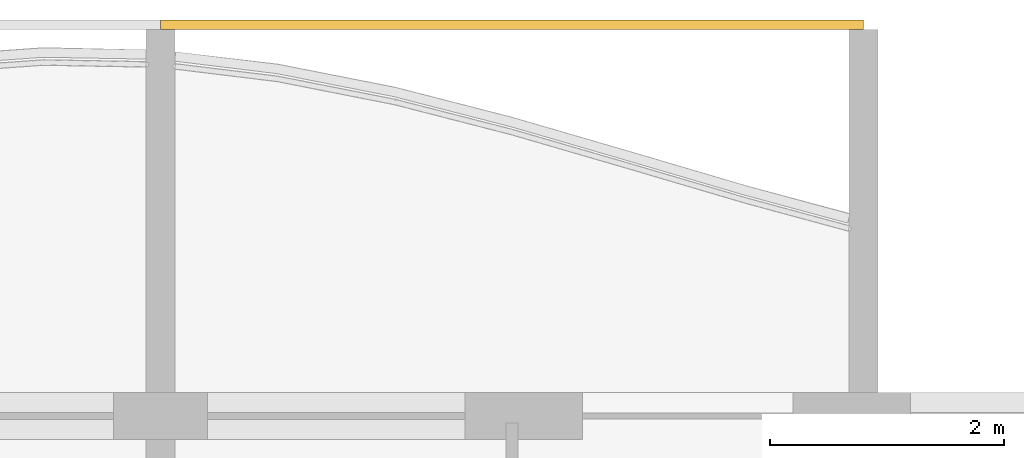
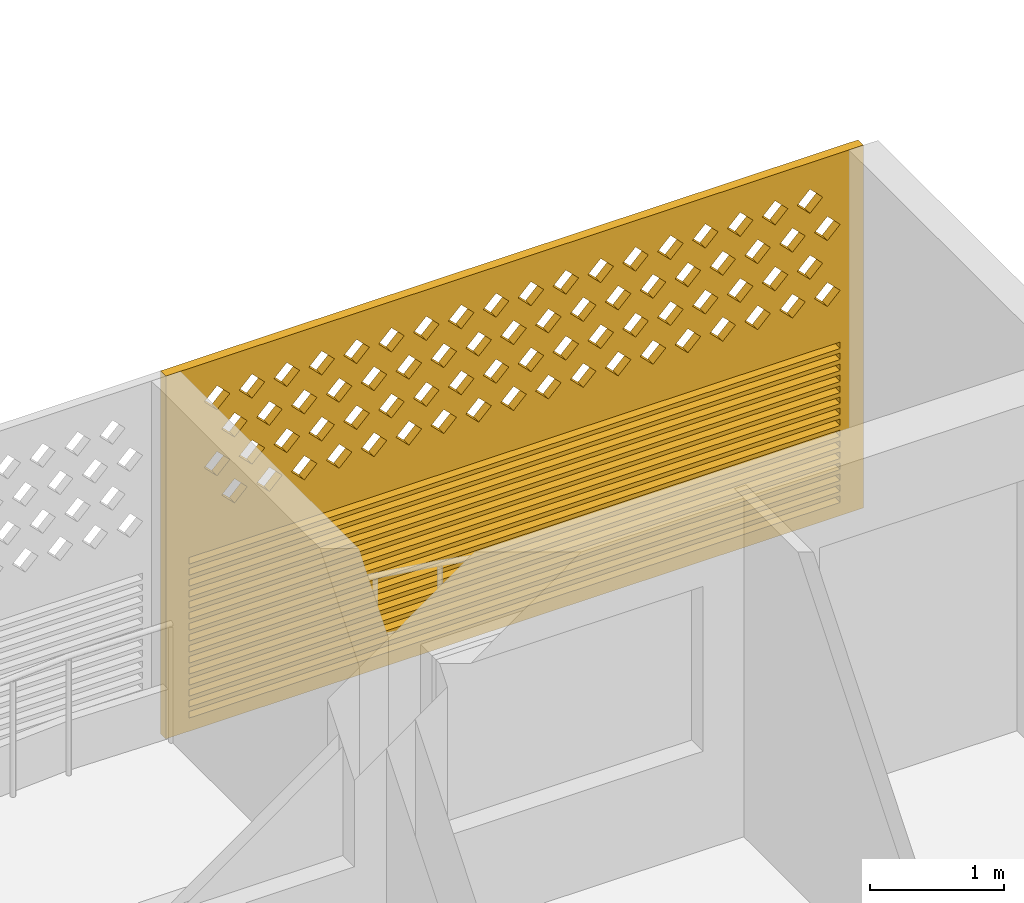
# One storey, part 18 of 28: 1 covering.
"""IFC4 building model written with IfcOpenShell, lengths in metres."""

from ifc_helpers import new_model, si_unit, direction, frame, origin, place, context, subcontext, project, spatial, polyline, outline, extrude, source, transform, mapped, material, material_profile, profile_set, type_object, element, save


model = new_model("IFC4")

# Units and contexts
model_context = context("Model", 3, precision=1e-05, world=origin(), true_north=direction((0.0, 1.0)))
body_context = subcontext(model_context, "Body", "Model", "MODEL_VIEW")
ifc_project = project(units=[si_unit("LENGTHUNIT", "METRE"), si_unit("AREAUNIT", "SQUARE_METRE"), si_unit("VOLUMEUNIT", "CUBIC_METRE"), si_unit("PLANEANGLEUNIT", "RADIAN"), si_unit("MASSUNIT", "GRAM", prefix="KILO")], contexts=[model_context])

# Site, building, storey
site_placement = place(None, origin())
site = spatial("IfcSite", under=ifc_project, at=site_placement, CompositionType="ELEMENT")
building_placement = place(site_placement, origin())
building = spatial("IfcBuilding", under=site, at=building_placement, Name="Poui Terraces", CompositionType="ELEMENT")
storey_placement = place(building_placement, frame((0.0, 0.0, 181.800048828125)))
storey = spatial("IfcBuildingStorey", under=building, at=storey_placement, Name="L50", CompositionType="ELEMENT", Elevation=181.800048828125)

# Covering
ifc_material = material(Name="Terracotta screen", Category="masonry")
ifc_material_profile = material_profile(ifc_material, outline(polyline([(-3.0, -1.64990234375), (3.0, -1.64990234375), (3.0, 1.64990234375), (-3.0, 1.64990234375), (-3.0, -1.64990234375)]), holes=[polyline([(-2.800048828125, 0.39990234375), (-2.68994140625, 0.2900390625), (-2.580078125, 0.39990234375), (-2.68994140625, 0.510009765625), (-2.800048828125, 0.39990234375)]), polyline([(-2.5, 0.39990234375), (-2.389892578125, 0.2900390625), (-2.280029296875, 0.39990234375), (-2.389892578125, 0.510009765625), (-2.5, 0.39990234375)]), polyline([(-2.199951171875, 0.39990234375), (-2.090087890625, 0.2900390625), (-1.97998046875, 0.39990234375), (-2.090087890625, 0.510009765625), (-2.199951171875, 0.39990234375)]), polyline([(-1.89990234375, 0.39990234375), (-1.7900390625, 0.2900390625), (-1.679931640625, 0.39990234375), (-1.7900390625, 0.510009765625), (-1.89990234375, 0.39990234375)]), polyline([(-1.60009765625, 0.39990234375), (-1.489990234375, 0.2900390625), (-1.3798828125, 0.39990234375), (-1.489990234375, 0.510009765625), (-1.60009765625, 0.39990234375)]), polyline([(-1.300048828125, 0.39990234375), (-1.18994140625, 0.2900390625), (-1.080078125, 0.39990234375), (-1.18994140625, 0.510009765625), (-1.300048828125, 0.39990234375)]), polyline([(-1.0, 0.39990234375), (-0.889892578125, 0.2900390625), (-0.780029296875, 0.39990234375), (-0.889892578125, 0.510009765625), (-1.0, 0.39990234375)]), polyline([(-0.699951171875, 0.39990234375), (-0.590087890625, 0.2900390625), (-0.47998046875, 0.39990234375), (-0.590087890625, 0.510009765625), (-0.699951171875, 0.39990234375)]), polyline([(-0.39990234375, 0.39990234375), (-0.2900390625, 0.2900390625), (-0.179931640625, 0.39990234375), (-0.2900390625, 0.510009765625), (-0.39990234375, 0.39990234375)]), polyline([(-0.10009765625, 0.39990234375), (0.010009765625, 0.2900390625), (0.1201171875, 0.39990234375), (0.010009765625, 0.510009765625), (-0.10009765625, 0.39990234375)]), polyline([(0.199951171875, 0.39990234375), (0.31005859375, 0.2900390625), (0.419921875, 0.39990234375), (0.31005859375, 0.510009765625), (0.199951171875, 0.39990234375)]), polyline([(0.5, 0.39990234375), (0.610107421875, 0.2900390625), (0.719970703125, 0.39990234375), (0.610107421875, 0.510009765625), (0.5, 0.39990234375)]), polyline([(0.800048828125, 0.39990234375), (0.909912109375, 0.2900390625), (1.02001953125, 0.39990234375), (0.909912109375, 0.510009765625), (0.800048828125, 0.39990234375)]), polyline([(1.10009765625, 0.39990234375), (1.2099609375, 0.2900390625), (1.320068359375, 0.39990234375), (1.2099609375, 0.510009765625), (1.10009765625, 0.39990234375)]), polyline([(1.39990234375, 0.39990234375), (1.510009765625, 0.2900390625), (1.6201171875, 0.39990234375), (1.510009765625, 0.510009765625), (1.39990234375, 0.39990234375)]), polyline([(1.699951171875, 0.39990234375), (1.81005859375, 0.2900390625), (1.919921875, 0.39990234375), (1.81005859375, 0.510009765625), (1.699951171875, 0.39990234375)]), polyline([(2.0, 0.39990234375), (2.110107421875, 0.2900390625), (2.219970703125, 0.39990234375), (2.110107421875, 0.510009765625), (2.0, 0.39990234375)]), polyline([(2.300048828125, 0.39990234375), (2.409912109375, 0.2900390625), (2.52001953125, 0.39990234375), (2.409912109375, 0.510009765625), (2.300048828125, 0.39990234375)]), polyline([(-2.64990234375, 0.699951171875), (-2.5400390625, 0.590087890625), (-2.429931640625, 0.699951171875), (-2.5400390625, 0.81005859375), (-2.64990234375, 0.699951171875)]), polyline([(-2.35009765625, 0.699951171875), (-2.239990234375, 0.590087890625), (-2.1298828125, 0.699951171875), (-2.239990234375, 0.81005859375), (-2.35009765625, 0.699951171875)]), polyline([(-2.050048828125, 0.699951171875), (-1.93994140625, 0.590087890625), (-1.830078125, 0.699951171875), (-1.93994140625, 0.81005859375), (-2.050048828125, 0.699951171875)]), polyline([(-1.75, 0.699951171875), (-1.639892578125, 0.590087890625), (-1.530029296875, 0.699951171875), (-1.639892578125, 0.81005859375), (-1.75, 0.699951171875)]), polyline([(-1.449951171875, 0.699951171875), (-1.340087890625, 0.590087890625), (-1.22998046875, 0.699951171875), (-1.340087890625, 0.81005859375), (-1.449951171875, 0.699951171875)]), polyline([(-1.14990234375, 0.699951171875), (-1.0400390625, 0.590087890625), (-0.929931640625, 0.699951171875), (-1.0400390625, 0.81005859375), (-1.14990234375, 0.699951171875)]), polyline([(-0.85009765625, 0.699951171875), (-0.739990234375, 0.590087890625), (-0.6298828125, 0.699951171875), (-0.739990234375, 0.81005859375), (-0.85009765625, 0.699951171875)]), polyline([(-0.550048828125, 0.699951171875), (-0.43994140625, 0.590087890625), (-0.330078125, 0.699951171875), (-0.43994140625, 0.81005859375), (-0.550048828125, 0.699951171875)]), polyline([(-0.25, 0.699951171875), (-0.139892578125, 0.590087890625), (-0.030029296875, 0.699951171875), (-0.139892578125, 0.81005859375), (-0.25, 0.699951171875)]), polyline([(0.050048828125, 0.699951171875), (0.159912109375, 0.590087890625), (0.27001953125, 0.699951171875), (0.159912109375, 0.81005859375), (0.050048828125, 0.699951171875)]), polyline([(0.35009765625, 0.699951171875), (0.4599609375, 0.590087890625), (0.570068359375, 0.699951171875), (0.4599609375, 0.81005859375), (0.35009765625, 0.699951171875)]), polyline([(0.64990234375, 0.699951171875), (0.760009765625, 0.590087890625), (0.8701171875, 0.699951171875), (0.760009765625, 0.81005859375), (0.64990234375, 0.699951171875)]), polyline([(0.949951171875, 0.699951171875), (1.06005859375, 0.590087890625), (1.169921875, 0.699951171875), (1.06005859375, 0.81005859375), (0.949951171875, 0.699951171875)]), polyline([(1.25, 0.699951171875), (1.360107421875, 0.590087890625), (1.469970703125, 0.699951171875), (1.360107421875, 0.81005859375), (1.25, 0.699951171875)]), polyline([(1.550048828125, 0.699951171875), (1.659912109375, 0.590087890625), (1.77001953125, 0.699951171875), (1.659912109375, 0.81005859375), (1.550048828125, 0.699951171875)]), polyline([(1.85009765625, 0.699951171875), (1.9599609375, 0.590087890625), (2.070068359375, 0.699951171875), (1.9599609375, 0.81005859375), (1.85009765625, 0.699951171875)]), polyline([(2.14990234375, 0.699951171875), (2.260009765625, 0.590087890625), (2.3701171875, 0.699951171875), (2.260009765625, 0.81005859375), (2.14990234375, 0.699951171875)]), polyline([(2.449951171875, 0.699951171875), (2.56005859375, 0.590087890625), (2.669921875, 0.699951171875), (2.56005859375, 0.81005859375), (2.449951171875, 0.699951171875)]), polyline([(-2.800048828125, 1.0), (-2.68994140625, 0.889892578125), (-2.580078125, 1.0), (-2.68994140625, 1.110107421875), (-2.800048828125, 1.0)]), polyline([(-2.5, 1.0), (-2.389892578125, 0.889892578125), (-2.280029296875, 1.0), (-2.389892578125, 1.110107421875), (-2.5, 1.0)]), polyline([(-2.199951171875, 1.0), (-2.090087890625, 0.889892578125), (-1.97998046875, 1.0), (-2.090087890625, 1.110107421875), (-2.199951171875, 1.0)]), polyline([(-1.89990234375, 1.0), (-1.7900390625, 0.889892578125), (-1.679931640625, 1.0), (-1.7900390625, 1.110107421875), (-1.89990234375, 1.0)]), polyline([(-1.60009765625, 1.0), (-1.489990234375, 0.889892578125), (-1.3798828125, 1.0), (-1.489990234375, 1.110107421875), (-1.60009765625, 1.0)]), polyline([(-1.300048828125, 1.0), (-1.18994140625, 0.889892578125), (-1.080078125, 1.0), (-1.18994140625, 1.110107421875), (-1.300048828125, 1.0)]), polyline([(-1.0, 1.0), (-0.889892578125, 0.889892578125), (-0.780029296875, 1.0), (-0.889892578125, 1.110107421875), (-1.0, 1.0)]), polyline([(-0.699951171875, 1.0), (-0.590087890625, 0.889892578125), (-0.47998046875, 1.0), (-0.590087890625, 1.110107421875), (-0.699951171875, 1.0)]), polyline([(-0.39990234375, 1.0), (-0.2900390625, 0.889892578125), (-0.179931640625, 1.0), (-0.2900390625, 1.110107421875), (-0.39990234375, 1.0)]), polyline([(-0.10009765625, 1.0), (0.010009765625, 0.889892578125), (0.1201171875, 1.0), (0.010009765625, 1.110107421875), (-0.10009765625, 1.0)]), polyline([(0.199951171875, 1.0), (0.31005859375, 0.889892578125), (0.419921875, 1.0), (0.31005859375, 1.110107421875), (0.199951171875, 1.0)]), polyline([(0.5, 1.0), (0.610107421875, 0.889892578125), (0.719970703125, 1.0), (0.610107421875, 1.110107421875), (0.5, 1.0)]), polyline([(0.800048828125, 1.0), (0.909912109375, 0.889892578125), (1.02001953125, 1.0), (0.909912109375, 1.110107421875), (0.800048828125, 1.0)]), polyline([(1.10009765625, 1.0), (1.2099609375, 0.889892578125), (1.320068359375, 1.0), (1.2099609375, 1.110107421875), (1.10009765625, 1.0)]), polyline([(1.39990234375, 1.0), (1.510009765625, 0.889892578125), (1.6201171875, 1.0), (1.510009765625, 1.110107421875), (1.39990234375, 1.0)]), polyline([(1.699951171875, 1.0), (1.81005859375, 0.889892578125), (1.919921875, 1.0), (1.81005859375, 1.110107421875), (1.699951171875, 1.0)]), polyline([(2.0, 1.0), (2.110107421875, 0.889892578125), (2.219970703125, 1.0), (2.110107421875, 1.110107421875), (2.0, 1.0)]), polyline([(2.300048828125, 1.0), (2.409912109375, 0.889892578125), (2.52001953125, 1.0), (2.409912109375, 1.110107421875), (2.300048828125, 1.0)]), polyline([(-2.64990234375, 1.300048828125), (-2.5400390625, 1.18994140625), (-2.429931640625, 1.300048828125), (-2.5400390625, 1.409912109375), (-2.64990234375, 1.300048828125)]), polyline([(-2.35009765625, 1.300048828125), (-2.239990234375, 1.18994140625), (-2.1298828125, 1.300048828125), (-2.239990234375, 1.409912109375), (-2.35009765625, 1.300048828125)]), polyline([(-2.050048828125, 1.300048828125), (-1.93994140625, 1.18994140625), (-1.830078125, 1.300048828125), (-1.93994140625, 1.409912109375), (-2.050048828125, 1.300048828125)]), polyline([(-1.75, 1.300048828125), (-1.639892578125, 1.18994140625), (-1.530029296875, 1.300048828125), (-1.639892578125, 1.409912109375), (-1.75, 1.300048828125)]), polyline([(-1.449951171875, 1.300048828125), (-1.340087890625, 1.18994140625), (-1.22998046875, 1.300048828125), (-1.340087890625, 1.409912109375), (-1.449951171875, 1.300048828125)]), polyline([(-1.14990234375, 1.300048828125), (-1.0400390625, 1.18994140625), (-0.929931640625, 1.300048828125), (-1.0400390625, 1.409912109375), (-1.14990234375, 1.300048828125)]), polyline([(-0.85009765625, 1.300048828125), (-0.739990234375, 1.18994140625), (-0.6298828125, 1.300048828125), (-0.739990234375, 1.409912109375), (-0.85009765625, 1.300048828125)]), polyline([(-0.550048828125, 1.300048828125), (-0.43994140625, 1.18994140625), (-0.330078125, 1.300048828125), (-0.43994140625, 1.409912109375), (-0.550048828125, 1.300048828125)]), polyline([(-0.25, 1.300048828125), (-0.139892578125, 1.18994140625), (-0.030029296875, 1.300048828125), (-0.139892578125, 1.409912109375), (-0.25, 1.300048828125)]), polyline([(0.050048828125, 1.300048828125), (0.159912109375, 1.18994140625), (0.27001953125, 1.300048828125), (0.159912109375, 1.409912109375), (0.050048828125, 1.300048828125)]), polyline([(0.35009765625, 1.300048828125), (0.4599609375, 1.18994140625), (0.570068359375, 1.300048828125), (0.4599609375, 1.409912109375), (0.35009765625, 1.300048828125)]), polyline([(0.64990234375, 1.300048828125), (0.760009765625, 1.18994140625), (0.8701171875, 1.300048828125), (0.760009765625, 1.409912109375), (0.64990234375, 1.300048828125)]), polyline([(0.949951171875, 1.300048828125), (1.06005859375, 1.18994140625), (1.169921875, 1.300048828125), (1.06005859375, 1.409912109375), (0.949951171875, 1.300048828125)]), polyline([(1.25, 1.300048828125), (1.360107421875, 1.18994140625), (1.469970703125, 1.300048828125), (1.360107421875, 1.409912109375), (1.25, 1.300048828125)]), polyline([(1.550048828125, 1.300048828125), (1.659912109375, 1.18994140625), (1.77001953125, 1.300048828125), (1.659912109375, 1.409912109375), (1.550048828125, 1.300048828125)]), polyline([(1.85009765625, 1.300048828125), (1.9599609375, 1.18994140625), (2.070068359375, 1.300048828125), (1.9599609375, 1.409912109375), (1.85009765625, 1.300048828125)]), polyline([(2.14990234375, 1.300048828125), (2.260009765625, 1.18994140625), (2.3701171875, 1.300048828125), (2.260009765625, 1.409912109375), (2.14990234375, 1.300048828125)]), polyline([(2.449951171875, 1.300048828125), (2.56005859375, 1.18994140625), (2.669921875, 1.300048828125), (2.56005859375, 1.409912109375), (2.449951171875, 1.300048828125)]), polyline([(-2.800048828125, -1.530029296875), (2.800048828125, -1.530029296875), (2.800048828125, -1.469970703125), (-2.800048828125, -1.469970703125), (-2.800048828125, -1.530029296875)]), polyline([(-2.800048828125, -1.429931640625), (2.800048828125, -1.429931640625), (2.800048828125, -1.3701171875), (-2.800048828125, -1.3701171875), (-2.800048828125, -1.429931640625)]), polyline([(-2.800048828125, -1.330078125), (2.800048828125, -1.330078125), (2.800048828125, -1.27001953125), (-2.800048828125, -1.27001953125), (-2.800048828125, -1.330078125)]), polyline([(-2.800048828125, -1.22998046875), (2.800048828125, -1.22998046875), (2.800048828125, -1.169921875), (-2.800048828125, -1.169921875), (-2.800048828125, -1.22998046875)]), polyline([(-2.800048828125, -1.1298828125), (2.800048828125, -1.1298828125), (2.800048828125, -1.070068359375), (-2.800048828125, -1.070068359375), (-2.800048828125, -1.1298828125)]), polyline([(-2.800048828125, -1.030029296875), (2.800048828125, -1.030029296875), (2.800048828125, -0.969970703125), (-2.800048828125, -0.969970703125), (-2.800048828125, -1.030029296875)]), polyline([(-2.800048828125, -0.929931640625), (2.800048828125, -0.929931640625), (2.800048828125, -0.8701171875), (-2.800048828125, -0.8701171875), (-2.800048828125, -0.929931640625)]), polyline([(-2.800048828125, -0.830078125), (2.800048828125, -0.830078125), (2.800048828125, -0.77001953125), (-2.800048828125, -0.77001953125), (-2.800048828125, -0.830078125)]), polyline([(-2.800048828125, -0.72998046875), (2.800048828125, -0.72998046875), (2.800048828125, -0.669921875), (-2.800048828125, -0.669921875), (-2.800048828125, -0.72998046875)]), polyline([(-2.800048828125, -0.6298828125), (2.800048828125, -0.6298828125), (2.800048828125, -0.570068359375), (-2.800048828125, -0.570068359375), (-2.800048828125, -0.6298828125)]), polyline([(-2.800048828125, -0.530029296875), (2.800048828125, -0.530029296875), (2.800048828125, -0.469970703125), (-2.800048828125, -0.469970703125), (-2.800048828125, -0.530029296875)]), polyline([(-2.800048828125, -0.429931640625), (2.800048828125, -0.429931640625), (2.800048828125, -0.3701171875), (-2.800048828125, -0.3701171875), (-2.800048828125, -0.429931640625)]), polyline([(-2.800048828125, -0.330078125), (2.800048828125, -0.330078125), (2.800048828125, -0.27001953125), (-2.800048828125, -0.27001953125), (-2.800048828125, -0.330078125)]), polyline([(-2.800048828125, -0.22998046875), (2.800048828125, -0.22998046875), (2.800048828125, -0.169921875), (-2.800048828125, -0.169921875), (-2.800048828125, -0.22998046875)]), polyline([(-2.800048828125, -0.1298828125), (2.800048828125, -0.1298828125), (2.800048828125, -0.070068359375), (-2.800048828125, -0.070068359375), (-2.800048828125, -0.1298828125)])]), Name="TERRACOTTA SCREEN AND JALOUSIE LOUVRE 6000X3300")
ifc_profile_set = profile_set([ifc_material_profile], Name="Terracotta screen")
covering_type = type_object("IfcCoveringType", Name="TERRACOTTA SCREEN AND JALOUSIE LOUVRE 6000X3300", PredefinedType="CLADDING", material=ifc_profile_set)
shared_shape = source(origin(), body_context, "Body", "SweptSolid", [
    extrude(outline(polyline([(-3.0, -1.64990234375), (3.0, -1.64990234375), (3.0, 1.64990234375), (-3.0, 1.64990234375), (-3.0, -1.64990234375)]), holes=[polyline([(-2.800048828125, 0.39990234375), (-2.68994140625, 0.2900390625), (-2.580078125, 0.39990234375), (-2.68994140625, 0.510009765625), (-2.800048828125, 0.39990234375)]), polyline([(-2.5, 0.39990234375), (-2.389892578125, 0.2900390625), (-2.280029296875, 0.39990234375), (-2.389892578125, 0.510009765625), (-2.5, 0.39990234375)]), polyline([(-2.199951171875, 0.39990234375), (-2.090087890625, 0.2900390625), (-1.97998046875, 0.39990234375), (-2.090087890625, 0.510009765625), (-2.199951171875, 0.39990234375)]), polyline([(-1.89990234375, 0.39990234375), (-1.7900390625, 0.2900390625), (-1.679931640625, 0.39990234375), (-1.7900390625, 0.510009765625), (-1.89990234375, 0.39990234375)]), polyline([(-1.60009765625, 0.39990234375), (-1.489990234375, 0.2900390625), (-1.3798828125, 0.39990234375), (-1.489990234375, 0.510009765625), (-1.60009765625, 0.39990234375)]), polyline([(-1.300048828125, 0.39990234375), (-1.18994140625, 0.2900390625), (-1.080078125, 0.39990234375), (-1.18994140625, 0.510009765625), (-1.300048828125, 0.39990234375)]), polyline([(-1.0, 0.39990234375), (-0.889892578125, 0.2900390625), (-0.780029296875, 0.39990234375), (-0.889892578125, 0.510009765625), (-1.0, 0.39990234375)]), polyline([(-0.699951171875, 0.39990234375), (-0.590087890625, 0.2900390625), (-0.47998046875, 0.39990234375), (-0.590087890625, 0.510009765625), (-0.699951171875, 0.39990234375)]), polyline([(-0.39990234375, 0.39990234375), (-0.2900390625, 0.2900390625), (-0.179931640625, 0.39990234375), (-0.2900390625, 0.510009765625), (-0.39990234375, 0.39990234375)]), polyline([(-0.10009765625, 0.39990234375), (0.010009765625, 0.2900390625), (0.1201171875, 0.39990234375), (0.010009765625, 0.510009765625), (-0.10009765625, 0.39990234375)]), polyline([(0.199951171875, 0.39990234375), (0.31005859375, 0.2900390625), (0.419921875, 0.39990234375), (0.31005859375, 0.510009765625), (0.199951171875, 0.39990234375)]), polyline([(0.5, 0.39990234375), (0.610107421875, 0.2900390625), (0.719970703125, 0.39990234375), (0.610107421875, 0.510009765625), (0.5, 0.39990234375)]), polyline([(0.800048828125, 0.39990234375), (0.909912109375, 0.2900390625), (1.02001953125, 0.39990234375), (0.909912109375, 0.510009765625), (0.800048828125, 0.39990234375)]), polyline([(1.10009765625, 0.39990234375), (1.2099609375, 0.2900390625), (1.320068359375, 0.39990234375), (1.2099609375, 0.510009765625), (1.10009765625, 0.39990234375)]), polyline([(1.39990234375, 0.39990234375), (1.510009765625, 0.2900390625), (1.6201171875, 0.39990234375), (1.510009765625, 0.510009765625), (1.39990234375, 0.39990234375)]), polyline([(1.699951171875, 0.39990234375), (1.81005859375, 0.2900390625), (1.919921875, 0.39990234375), (1.81005859375, 0.510009765625), (1.699951171875, 0.39990234375)]), polyline([(2.0, 0.39990234375), (2.110107421875, 0.2900390625), (2.219970703125, 0.39990234375), (2.110107421875, 0.510009765625), (2.0, 0.39990234375)]), polyline([(2.300048828125, 0.39990234375), (2.409912109375, 0.2900390625), (2.52001953125, 0.39990234375), (2.409912109375, 0.510009765625), (2.300048828125, 0.39990234375)]), polyline([(-2.64990234375, 0.699951171875), (-2.5400390625, 0.590087890625), (-2.429931640625, 0.699951171875), (-2.5400390625, 0.81005859375), (-2.64990234375, 0.699951171875)]), polyline([(-2.35009765625, 0.699951171875), (-2.239990234375, 0.590087890625), (-2.1298828125, 0.699951171875), (-2.239990234375, 0.81005859375), (-2.35009765625, 0.699951171875)]), polyline([(-2.050048828125, 0.699951171875), (-1.93994140625, 0.590087890625), (-1.830078125, 0.699951171875), (-1.93994140625, 0.81005859375), (-2.050048828125, 0.699951171875)]), polyline([(-1.75, 0.699951171875), (-1.639892578125, 0.590087890625), (-1.530029296875, 0.699951171875), (-1.639892578125, 0.81005859375), (-1.75, 0.699951171875)]), polyline([(-1.449951171875, 0.699951171875), (-1.340087890625, 0.590087890625), (-1.22998046875, 0.699951171875), (-1.340087890625, 0.81005859375), (-1.449951171875, 0.699951171875)]), polyline([(-1.14990234375, 0.699951171875), (-1.0400390625, 0.590087890625), (-0.929931640625, 0.699951171875), (-1.0400390625, 0.81005859375), (-1.14990234375, 0.699951171875)]), polyline([(-0.85009765625, 0.699951171875), (-0.739990234375, 0.590087890625), (-0.6298828125, 0.699951171875), (-0.739990234375, 0.81005859375), (-0.85009765625, 0.699951171875)]), polyline([(-0.550048828125, 0.699951171875), (-0.43994140625, 0.590087890625), (-0.330078125, 0.699951171875), (-0.43994140625, 0.81005859375), (-0.550048828125, 0.699951171875)]), polyline([(-0.25, 0.699951171875), (-0.139892578125, 0.590087890625), (-0.030029296875, 0.699951171875), (-0.139892578125, 0.81005859375), (-0.25, 0.699951171875)]), polyline([(0.050048828125, 0.699951171875), (0.159912109375, 0.590087890625), (0.27001953125, 0.699951171875), (0.159912109375, 0.81005859375), (0.050048828125, 0.699951171875)]), polyline([(0.35009765625, 0.699951171875), (0.4599609375, 0.590087890625), (0.570068359375, 0.699951171875), (0.4599609375, 0.81005859375), (0.35009765625, 0.699951171875)]), polyline([(0.64990234375, 0.699951171875), (0.760009765625, 0.590087890625), (0.8701171875, 0.699951171875), (0.760009765625, 0.81005859375), (0.64990234375, 0.699951171875)]), polyline([(0.949951171875, 0.699951171875), (1.06005859375, 0.590087890625), (1.169921875, 0.699951171875), (1.06005859375, 0.81005859375), (0.949951171875, 0.699951171875)]), polyline([(1.25, 0.699951171875), (1.360107421875, 0.590087890625), (1.469970703125, 0.699951171875), (1.360107421875, 0.81005859375), (1.25, 0.699951171875)]), polyline([(1.550048828125, 0.699951171875), (1.659912109375, 0.590087890625), (1.77001953125, 0.699951171875), (1.659912109375, 0.81005859375), (1.550048828125, 0.699951171875)]), polyline([(1.85009765625, 0.699951171875), (1.9599609375, 0.590087890625), (2.070068359375, 0.699951171875), (1.9599609375, 0.81005859375), (1.85009765625, 0.699951171875)]), polyline([(2.14990234375, 0.699951171875), (2.260009765625, 0.590087890625), (2.3701171875, 0.699951171875), (2.260009765625, 0.81005859375), (2.14990234375, 0.699951171875)]), polyline([(2.449951171875, 0.699951171875), (2.56005859375, 0.590087890625), (2.669921875, 0.699951171875), (2.56005859375, 0.81005859375), (2.449951171875, 0.699951171875)]), polyline([(-2.800048828125, 1.0), (-2.68994140625, 0.889892578125), (-2.580078125, 1.0), (-2.68994140625, 1.110107421875), (-2.800048828125, 1.0)]), polyline([(-2.5, 1.0), (-2.389892578125, 0.889892578125), (-2.280029296875, 1.0), (-2.389892578125, 1.110107421875), (-2.5, 1.0)]), polyline([(-2.199951171875, 1.0), (-2.090087890625, 0.889892578125), (-1.97998046875, 1.0), (-2.090087890625, 1.110107421875), (-2.199951171875, 1.0)]), polyline([(-1.89990234375, 1.0), (-1.7900390625, 0.889892578125), (-1.679931640625, 1.0), (-1.7900390625, 1.110107421875), (-1.89990234375, 1.0)]), polyline([(-1.60009765625, 1.0), (-1.489990234375, 0.889892578125), (-1.3798828125, 1.0), (-1.489990234375, 1.110107421875), (-1.60009765625, 1.0)]), polyline([(-1.300048828125, 1.0), (-1.18994140625, 0.889892578125), (-1.080078125, 1.0), (-1.18994140625, 1.110107421875), (-1.300048828125, 1.0)]), polyline([(-1.0, 1.0), (-0.889892578125, 0.889892578125), (-0.780029296875, 1.0), (-0.889892578125, 1.110107421875), (-1.0, 1.0)]), polyline([(-0.699951171875, 1.0), (-0.590087890625, 0.889892578125), (-0.47998046875, 1.0), (-0.590087890625, 1.110107421875), (-0.699951171875, 1.0)]), polyline([(-0.39990234375, 1.0), (-0.2900390625, 0.889892578125), (-0.179931640625, 1.0), (-0.2900390625, 1.110107421875), (-0.39990234375, 1.0)]), polyline([(-0.10009765625, 1.0), (0.010009765625, 0.889892578125), (0.1201171875, 1.0), (0.010009765625, 1.110107421875), (-0.10009765625, 1.0)]), polyline([(0.199951171875, 1.0), (0.31005859375, 0.889892578125), (0.419921875, 1.0), (0.31005859375, 1.110107421875), (0.199951171875, 1.0)]), polyline([(0.5, 1.0), (0.610107421875, 0.889892578125), (0.719970703125, 1.0), (0.610107421875, 1.110107421875), (0.5, 1.0)]), polyline([(0.800048828125, 1.0), (0.909912109375, 0.889892578125), (1.02001953125, 1.0), (0.909912109375, 1.110107421875), (0.800048828125, 1.0)]), polyline([(1.10009765625, 1.0), (1.2099609375, 0.889892578125), (1.320068359375, 1.0), (1.2099609375, 1.110107421875), (1.10009765625, 1.0)]), polyline([(1.39990234375, 1.0), (1.510009765625, 0.889892578125), (1.6201171875, 1.0), (1.510009765625, 1.110107421875), (1.39990234375, 1.0)]), polyline([(1.699951171875, 1.0), (1.81005859375, 0.889892578125), (1.919921875, 1.0), (1.81005859375, 1.110107421875), (1.699951171875, 1.0)]), polyline([(2.0, 1.0), (2.110107421875, 0.889892578125), (2.219970703125, 1.0), (2.110107421875, 1.110107421875), (2.0, 1.0)]), polyline([(2.300048828125, 1.0), (2.409912109375, 0.889892578125), (2.52001953125, 1.0), (2.409912109375, 1.110107421875), (2.300048828125, 1.0)]), polyline([(-2.64990234375, 1.300048828125), (-2.5400390625, 1.18994140625), (-2.429931640625, 1.300048828125), (-2.5400390625, 1.409912109375), (-2.64990234375, 1.300048828125)]), polyline([(-2.35009765625, 1.300048828125), (-2.239990234375, 1.18994140625), (-2.1298828125, 1.300048828125), (-2.239990234375, 1.409912109375), (-2.35009765625, 1.300048828125)]), polyline([(-2.050048828125, 1.300048828125), (-1.93994140625, 1.18994140625), (-1.830078125, 1.300048828125), (-1.93994140625, 1.409912109375), (-2.050048828125, 1.300048828125)]), polyline([(-1.75, 1.300048828125), (-1.639892578125, 1.18994140625), (-1.530029296875, 1.300048828125), (-1.639892578125, 1.409912109375), (-1.75, 1.300048828125)]), polyline([(-1.449951171875, 1.300048828125), (-1.340087890625, 1.18994140625), (-1.22998046875, 1.300048828125), (-1.340087890625, 1.409912109375), (-1.449951171875, 1.300048828125)]), polyline([(-1.14990234375, 1.300048828125), (-1.0400390625, 1.18994140625), (-0.929931640625, 1.300048828125), (-1.0400390625, 1.409912109375), (-1.14990234375, 1.300048828125)]), polyline([(-0.85009765625, 1.300048828125), (-0.739990234375, 1.18994140625), (-0.6298828125, 1.300048828125), (-0.739990234375, 1.409912109375), (-0.85009765625, 1.300048828125)]), polyline([(-0.550048828125, 1.300048828125), (-0.43994140625, 1.18994140625), (-0.330078125, 1.300048828125), (-0.43994140625, 1.409912109375), (-0.550048828125, 1.300048828125)]), polyline([(-0.25, 1.300048828125), (-0.139892578125, 1.18994140625), (-0.030029296875, 1.300048828125), (-0.139892578125, 1.409912109375), (-0.25, 1.300048828125)]), polyline([(0.050048828125, 1.300048828125), (0.159912109375, 1.18994140625), (0.27001953125, 1.300048828125), (0.159912109375, 1.409912109375), (0.050048828125, 1.300048828125)]), polyline([(0.35009765625, 1.300048828125), (0.4599609375, 1.18994140625), (0.570068359375, 1.300048828125), (0.4599609375, 1.409912109375), (0.35009765625, 1.300048828125)]), polyline([(0.64990234375, 1.300048828125), (0.760009765625, 1.18994140625), (0.8701171875, 1.300048828125), (0.760009765625, 1.409912109375), (0.64990234375, 1.300048828125)]), polyline([(0.949951171875, 1.300048828125), (1.06005859375, 1.18994140625), (1.169921875, 1.300048828125), (1.06005859375, 1.409912109375), (0.949951171875, 1.300048828125)]), polyline([(1.25, 1.300048828125), (1.360107421875, 1.18994140625), (1.469970703125, 1.300048828125), (1.360107421875, 1.409912109375), (1.25, 1.300048828125)]), polyline([(1.550048828125, 1.300048828125), (1.659912109375, 1.18994140625), (1.77001953125, 1.300048828125), (1.659912109375, 1.409912109375), (1.550048828125, 1.300048828125)]), polyline([(1.85009765625, 1.300048828125), (1.9599609375, 1.18994140625), (2.070068359375, 1.300048828125), (1.9599609375, 1.409912109375), (1.85009765625, 1.300048828125)]), polyline([(2.14990234375, 1.300048828125), (2.260009765625, 1.18994140625), (2.3701171875, 1.300048828125), (2.260009765625, 1.409912109375), (2.14990234375, 1.300048828125)]), polyline([(2.449951171875, 1.300048828125), (2.56005859375, 1.18994140625), (2.669921875, 1.300048828125), (2.56005859375, 1.409912109375), (2.449951171875, 1.300048828125)]), polyline([(-2.800048828125, -1.530029296875), (2.800048828125, -1.530029296875), (2.800048828125, -1.469970703125), (-2.800048828125, -1.469970703125), (-2.800048828125, -1.530029296875)]), polyline([(-2.800048828125, -1.429931640625), (2.800048828125, -1.429931640625), (2.800048828125, -1.3701171875), (-2.800048828125, -1.3701171875), (-2.800048828125, -1.429931640625)]), polyline([(-2.800048828125, -1.330078125), (2.800048828125, -1.330078125), (2.800048828125, -1.27001953125), (-2.800048828125, -1.27001953125), (-2.800048828125, -1.330078125)]), polyline([(-2.800048828125, -1.22998046875), (2.800048828125, -1.22998046875), (2.800048828125, -1.169921875), (-2.800048828125, -1.169921875), (-2.800048828125, -1.22998046875)]), polyline([(-2.800048828125, -1.1298828125), (2.800048828125, -1.1298828125), (2.800048828125, -1.070068359375), (-2.800048828125, -1.070068359375), (-2.800048828125, -1.1298828125)]), polyline([(-2.800048828125, -1.030029296875), (2.800048828125, -1.030029296875), (2.800048828125, -0.969970703125), (-2.800048828125, -0.969970703125), (-2.800048828125, -1.030029296875)]), polyline([(-2.800048828125, -0.929931640625), (2.800048828125, -0.929931640625), (2.800048828125, -0.8701171875), (-2.800048828125, -0.8701171875), (-2.800048828125, -0.929931640625)]), polyline([(-2.800048828125, -0.830078125), (2.800048828125, -0.830078125), (2.800048828125, -0.77001953125), (-2.800048828125, -0.77001953125), (-2.800048828125, -0.830078125)]), polyline([(-2.800048828125, -0.72998046875), (2.800048828125, -0.72998046875), (2.800048828125, -0.669921875), (-2.800048828125, -0.669921875), (-2.800048828125, -0.72998046875)]), polyline([(-2.800048828125, -0.6298828125), (2.800048828125, -0.6298828125), (2.800048828125, -0.570068359375), (-2.800048828125, -0.570068359375), (-2.800048828125, -0.6298828125)]), polyline([(-2.800048828125, -0.530029296875), (2.800048828125, -0.530029296875), (2.800048828125, -0.469970703125), (-2.800048828125, -0.469970703125), (-2.800048828125, -0.530029296875)]), polyline([(-2.800048828125, -0.429931640625), (2.800048828125, -0.429931640625), (2.800048828125, -0.3701171875), (-2.800048828125, -0.3701171875), (-2.800048828125, -0.429931640625)]), polyline([(-2.800048828125, -0.330078125), (2.800048828125, -0.330078125), (2.800048828125, -0.27001953125), (-2.800048828125, -0.27001953125), (-2.800048828125, -0.330078125)]), polyline([(-2.800048828125, -0.22998046875), (2.800048828125, -0.22998046875), (2.800048828125, -0.169921875), (-2.800048828125, -0.169921875), (-2.800048828125, -0.22998046875)]), polyline([(-2.800048828125, -0.1298828125), (2.800048828125, -0.1298828125), (2.800048828125, -0.070068359375), (-2.800048828125, -0.070068359375), (-2.800048828125, -0.1298828125)])]), origin(), (0.0, 0.0, 1.0), 0.080078125),
])
covering_placement = place(storey_placement, frame((33.0, 44.5, 1.449951171875), z_axis=(0.0, 1.0, 0.0), x_axis=(-1.0, 0.0, 0.0)))
element("IfcCovering", 1, at=covering_placement, inside=storey, type_object=covering_type, Name="SOLAR SCREEN AND JALOUSIE LOUVRE", PredefinedType="CLADDING", context=body_context, shape_type="MappedRepresentation", body=[
    mapped(shared_shape, transform((0.0, 0.0, 0.0))),
])

save(model, "model.ifc")
